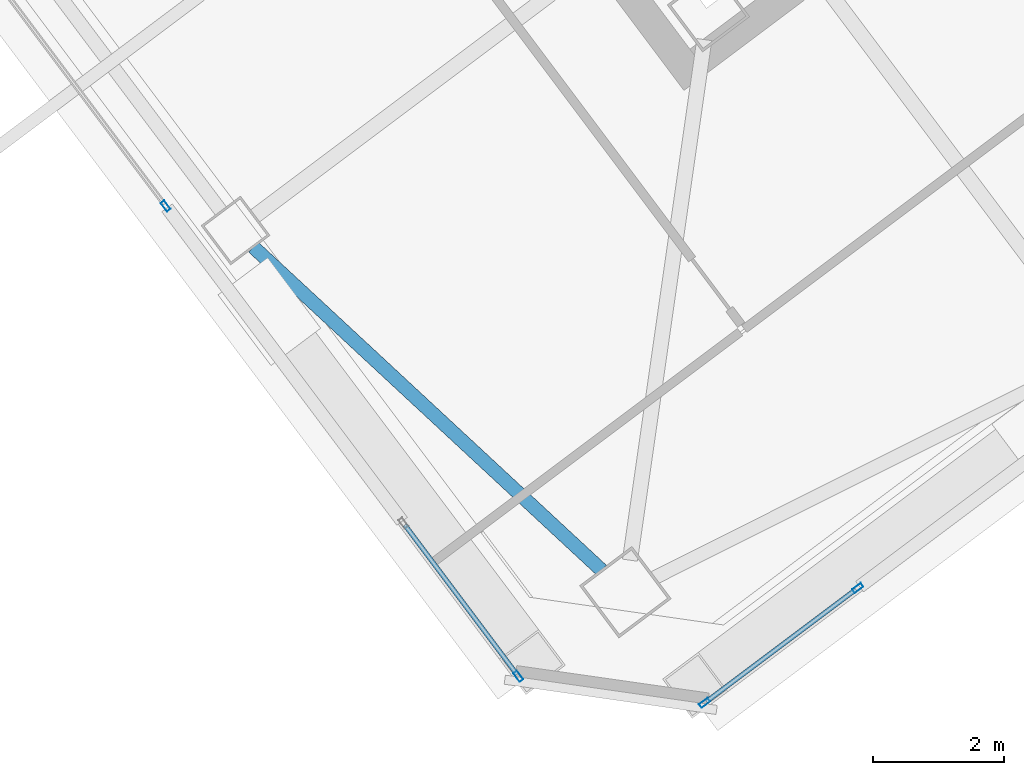
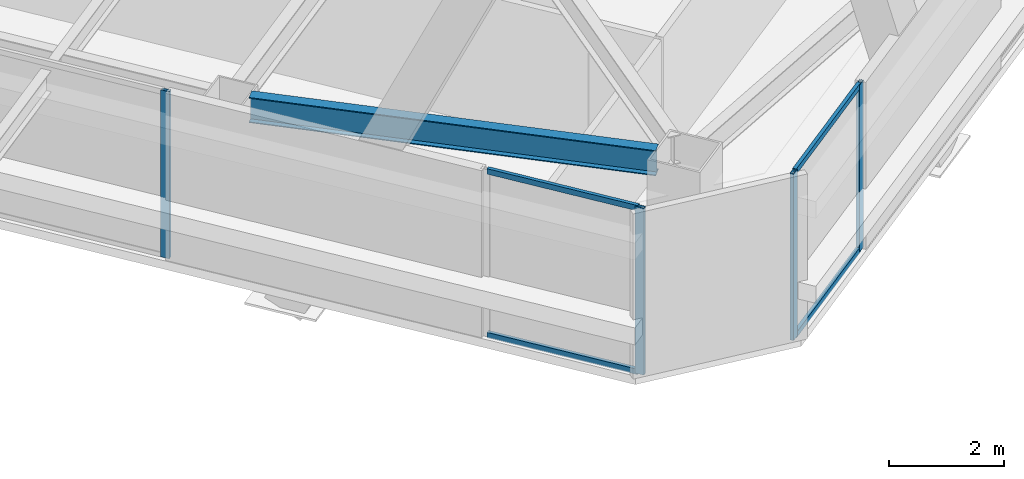
# One storey, part 28 of 56: 8 members, 1 beam, 3 elements without a shape of their own.
"""IFC4 building model written with IfcOpenShell, lengths in metres."""

from ifc_helpers import new_model, si_unit, direction, frame, origin, origin_2d, place, context, subcontext, project, spatial, hollow_rectangle, i_section, extrude, material, material_profile, profile_set, type_object, element, aggregate, save


model = new_model("IFC4")

# Units and contexts
model_context = context("Model", 3, precision=1e-05, world=origin(), true_north=direction((0.0, 1.0)))
body_context = subcontext(model_context, "Body", "Model", "MODEL_VIEW")
ifc_project = project(units=[si_unit("LENGTHUNIT", "METRE"), si_unit("AREAUNIT", "SQUARE_METRE"), si_unit("VOLUMEUNIT", "CUBIC_METRE"), si_unit("PLANEANGLEUNIT", "RADIAN"), si_unit("MASSUNIT", "GRAM", prefix="KILO")], contexts=[model_context])

# Site, building, storey
site_placement = place(None, origin())
site = spatial("IfcSite", under=ifc_project, at=site_placement, CompositionType="ELEMENT")
building_placement = place(site_placement, origin())
building = spatial("IfcBuilding", under=site, at=building_placement, Name="Tashvorn Skyway Center", CompositionType="ELEMENT")
storey_placement = place(building_placement, frame((0.0, 0.0, 218.39990234375)))
storey = spatial("IfcBuildingStorey", under=building, at=storey_placement, Name="L59", CompositionType="ELEMENT", Elevation=218.39990234375)

# Beam
ifc_material_1 = material(Name="Steel ASTM A992 Grade 50", Category="steel")
ifc_material_profile_1 = material_profile(ifc_material_1, i_section(OverallWidth=0.2109375, OverallDepth=0.5390625, WebThickness=0.01171875, FlangeThickness=0.018798828125, at=origin_2d()), Name="W21X73")
ifc_profile_set_1 = profile_set([ifc_material_profile_1], Name="Steel ASTM A992 Grade 50")
beam_type = type_object("IfcBeamType", Name="BM-SPANDREL-W21X73", PredefinedType="SPANDREL", material=ifc_profile_set_1)
beam_placement = place(storey_placement, frame((105.63134765625, 18.518310546875, 3.1005859375), z_axis=(0.733042389989, -0.680182956622, 0.0), x_axis=(0.680182956622, 0.733042389989, 0.0)))
element("IfcBeam", 1, at=beam_placement, inside=storey, type_object=beam_type, Name="Tower 2 L59 Spandrel Beam 12", PredefinedType="SPANDREL", context=body_context, shape_type="SweptSolid", body=[
    extrude(i_section(OverallWidth=0.2109375, OverallDepth=0.5390625, WebThickness=0.01171875, FlangeThickness=0.018798828125, at=origin_2d()), origin(), (0.0, 0.0, 1.0), 7.26513671875),
])

# Curtain wall, members
ifc_material_2 = material(Name="Thermally broken bronze-anodized aluminium 6063-T6", Category="aluminium")
curtain_wall_type = type_object("IfcCurtainWallType", Name="CW-CW-Z5", PredefinedType="NOTDEFINED", material=ifc_material_2)
curtain_wall_1_placement = place(storey_placement, origin())
curtain_wall_1 = element("IfcCurtainWall", 2, at=curtain_wall_1_placement, inside=storey, type_object=curtain_wall_type, Name="Tower 2 L59 South Unitised Curtain Wall Glazing Group 3", PredefinedType="NOTDEFINED")
ifc_material_profile_2 = material_profile(ifc_material_2, hollow_rectangle(XDim=0.070068359375, YDim=0.1650390625, WallThickness=0.00390625, at=origin_2d()), Name="ALU-MULL-70x165")
ifc_profile_set_2 = profile_set([ifc_material_profile_2], Name="Thermally broken bronze-anodized aluminium 6063-T6")
member_type_1 = type_object("IfcMemberType", Name="CWM-CW-Z5", PredefinedType="MULLION", material=ifc_profile_set_2)
member_1_placement = place(storey_placement, frame((114.872314453125, 13.30419921875, 0.0), z_axis=(0.0, 0.0, 1.0), x_axis=(0.600000000002, -0.799999999998, 0.0)))
member_1 = element("IfcMember", 3, at=member_1_placement, type_object=member_type_1, Name="CW-Z5 mullion 1", PredefinedType="MULLION", context=body_context, shape_type="SweptSolid", body=[
    extrude(hollow_rectangle(XDim=0.070068359375, YDim=0.1650390625, WallThickness=0.00390625, at=origin_2d()), origin(), (0.0, 0.0, 1.0), 3.550048828125),
])
member_2_placement = place(storey_placement, frame((112.531982421875, 11.549072265625, 0.0), z_axis=(0.0, 0.0, 1.0), x_axis=(0.600000000002, -0.799999999998, 0.0)))
member_2 = element("IfcMember", 4, at=member_2_placement, type_object=member_type_1, Name="CW-Z5 mullion 2", PredefinedType="MULLION", context=body_context, shape_type="SweptSolid", body=[
    extrude(hollow_rectangle(XDim=0.070068359375, YDim=0.1650390625, WallThickness=0.00390625, at=origin_2d()), origin(), (0.0, 0.0, 1.0), 3.550048828125),
])

# Curtain wall, member
curtain_wall_2_placement = place(storey_placement, origin())
curtain_wall_2 = element("IfcCurtainWall", 5, at=curtain_wall_2_placement, inside=storey, type_object=curtain_wall_type, Name="Tower 2 L59 West Unitised Curtain Wall Glazing Group 1", PredefinedType="NOTDEFINED")
member_3_placement = place(storey_placement, frame((109.68310546875, 11.9560546875, 0.0), z_axis=(0.0, 0.0, 1.0), x_axis=(-0.799999999998, -0.600000000002, 0.0)))
member_3 = element("IfcMember", 6, at=member_3_placement, type_object=member_type_1, Name="CW-Z5 mullion 1", PredefinedType="MULLION", context=body_context, shape_type="SweptSolid", body=[
    extrude(hollow_rectangle(XDim=0.070068359375, YDim=0.1650390625, WallThickness=0.00390625, at=origin_2d()), origin(), (0.0, 0.0, 1.0), 3.550048828125),
])

curtain_wall_3_placement = place(storey_placement, origin())
curtain_wall_3 = element("IfcCurtainWall", 7, at=curtain_wall_3_placement, inside=storey, type_object=curtain_wall_type, Name="Tower 2 L59 West Unitised Curtain Wall Glazing Group 2", PredefinedType="NOTDEFINED")
member_4_placement = place(storey_placement, frame((104.291015625, 19.145263671875, 0.0), z_axis=(0.0, 0.0, 1.0), x_axis=(-0.800002670596, -0.599996439189, 0.0)))
member_4 = element("IfcMember", 8, at=member_4_placement, type_object=member_type_1, Name="CW-Z5 mullion 1", PredefinedType="MULLION", context=body_context, shape_type="SweptSolid", body=[
    extrude(hollow_rectangle(XDim=0.070068359375, YDim=0.1650390625, WallThickness=0.00390625, at=origin_2d()), origin(), (0.0, 0.0, 1.0), 3.550048828125),
])
aggregate(curtain_wall_3, [member_4])

# Member
ifc_material_profile_3 = material_profile(ifc_material_2, hollow_rectangle(XDim=0.070068359375, YDim=0.114990234375, WallThickness=0.00390625, at=origin_2d()), Name="ALU-TRAN-70x115")
ifc_profile_set_3 = profile_set([ifc_material_profile_3], Name="Thermally broken bronze-anodized aluminium 6063-T6")
member_type_2 = type_object("IfcMemberType", Name="CWT-CW-Z5", PredefinedType="USERDEFINED", material=ifc_profile_set_3)
member_5_placement = place(storey_placement, frame((114.844482421875, 13.283203125, 0.03515625), z_axis=(-0.800030779227, -0.599958958837, 0.0), x_axis=(0.599958958837, -0.800030779227, 0.0)))
member_5 = element("IfcMember", 9, at=member_5_placement, type_object=member_type_2, Name="CW-Z5 transom 1.1", ObjectType="TRANSOM", PredefinedType="USERDEFINED", context=body_context, shape_type="SweptSolid", body=[
    extrude(hollow_rectangle(XDim=0.070068359375, YDim=0.114990234375, WallThickness=0.00390625, at=origin_2d()), origin(), (0.0, 0.0, 1.0), 2.85546875),
])

member_6_placement = place(storey_placement, frame((114.844482421875, 13.283203125, 3.51513671875), z_axis=(-0.800030779227, -0.599958958837, 0.0), x_axis=(0.599958958837, -0.800030779227, 0.0)))
member_6 = element("IfcMember", 10, at=member_6_placement, type_object=member_type_2, Name="CW-Z5 transom 1.2", ObjectType="TRANSOM", PredefinedType="USERDEFINED", context=body_context, shape_type="SweptSolid", body=[
    extrude(hollow_rectangle(XDim=0.070068359375, YDim=0.114990234375, WallThickness=0.00390625, at=origin_2d()), origin(), (0.0, 0.0, 1.0), 2.85546875),
])

aggregate(curtain_wall_1, [member_1, member_2, member_5, member_6])

member_7_placement = place(storey_placement, frame((109.662109375, 11.98388671875, 0.03515625), z_axis=(-0.600013679335, 0.799989740316, 0.0), x_axis=(-0.799989740316, -0.600013679335, 0.0)))
member_7 = element("IfcMember", 11, at=member_7_placement, type_object=member_type_2, Name="CW-Z5 transom 1.1", ObjectType="TRANSOM", PredefinedType="USERDEFINED", context=body_context, shape_type="SweptSolid", body=[
    extrude(hollow_rectangle(XDim=0.070068359375, YDim=0.114990234375, WallThickness=0.00390625, at=origin_2d()), origin(), (0.0, 0.0, 1.0), 2.85546875),
])

member_8_placement = place(storey_placement, frame((109.662109375, 11.98388671875, 3.51513671875), z_axis=(-0.600013679335, 0.799989740316, 0.0), x_axis=(-0.799989740316, -0.600013679335, 0.0)))
member_8 = element("IfcMember", 12, at=member_8_placement, type_object=member_type_2, Name="CW-Z5 transom 1.2", ObjectType="TRANSOM", PredefinedType="USERDEFINED", context=body_context, shape_type="SweptSolid", body=[
    extrude(hollow_rectangle(XDim=0.070068359375, YDim=0.114990234375, WallThickness=0.00390625, at=origin_2d()), origin(), (0.0, 0.0, 1.0), 2.85546875),
])

aggregate(curtain_wall_2, [member_3, member_7, member_8])

save(model, "model.ifc")
